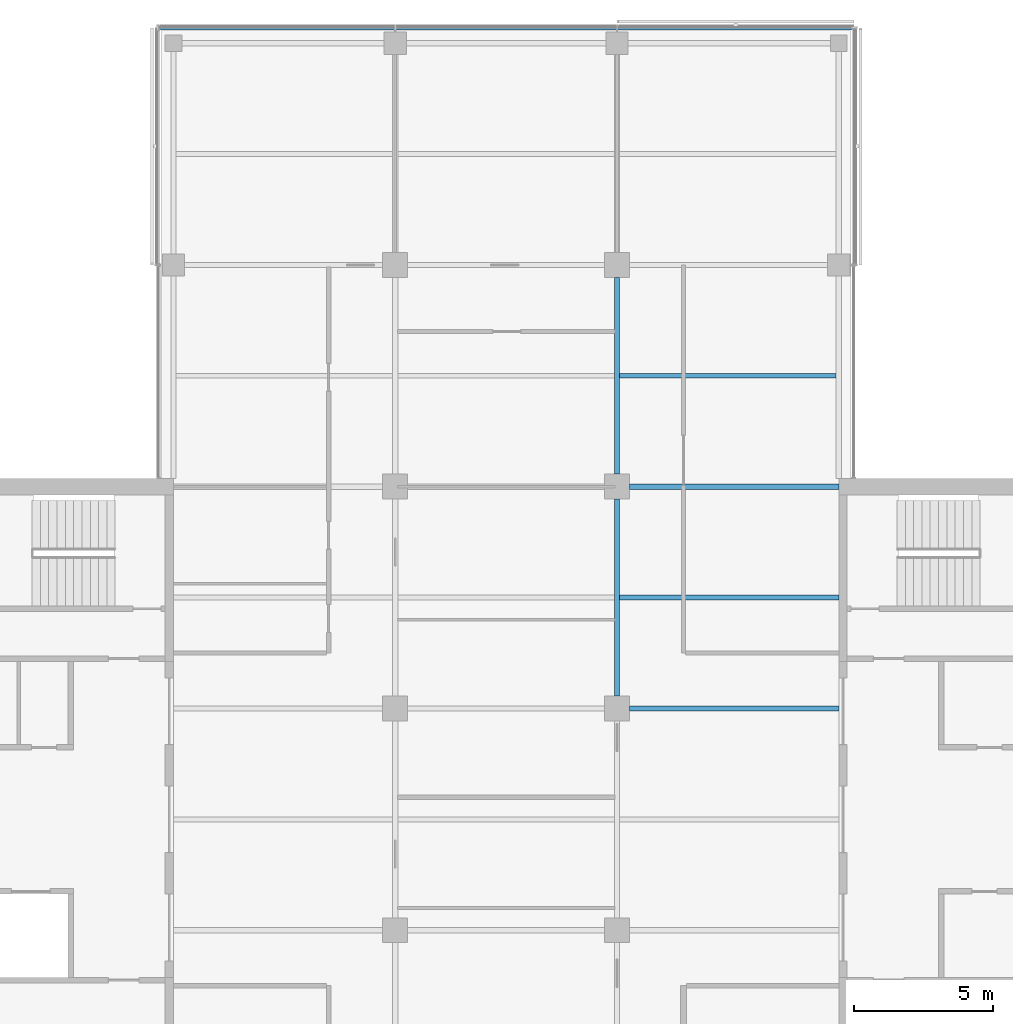
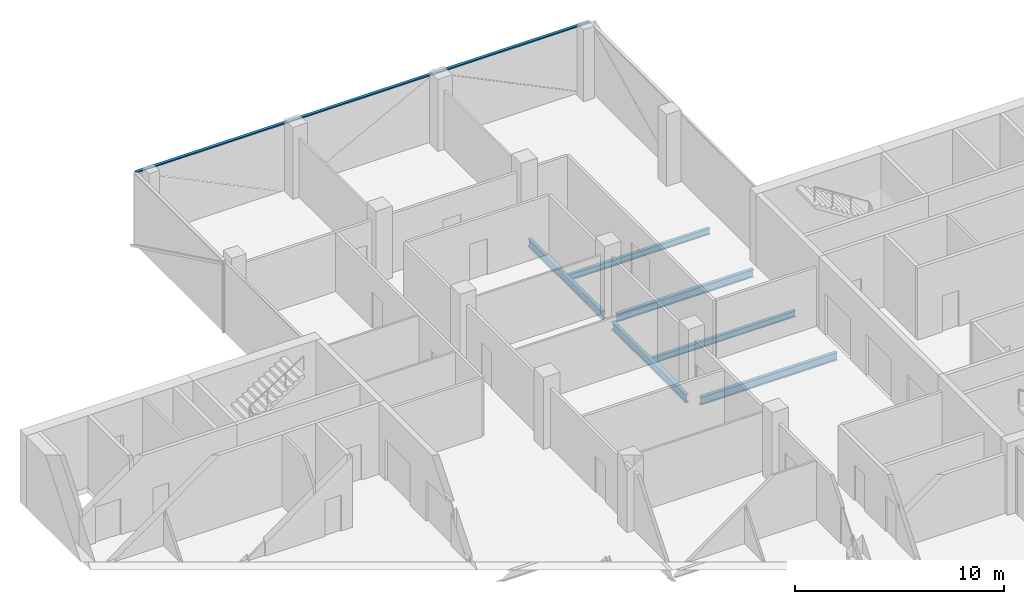
# One storey, part 6 of 15: 6 beams, 1 member, 1 element without a shape of its own.
"""IFC4 building model written with IfcOpenShell, lengths in metres."""

from ifc_helpers import new_model, si_unit, direction, frame, origin, origin_2d, place, context, subcontext, project, spatial, rectangle, i_section, extrude, material, material_profile, profile_set, type_object, element, aggregate, save


model = new_model("IFC4")

# Units and contexts
model_context = context("Model", 3, precision=1e-05, world=origin(), true_north=direction((0.0, 1.0)))
body_context = subcontext(model_context, "Body", "Model", "MODEL_VIEW")
ifc_project = project(units=[si_unit("LENGTHUNIT", "METRE"), si_unit("AREAUNIT", "SQUARE_METRE"), si_unit("VOLUMEUNIT", "CUBIC_METRE"), si_unit("PLANEANGLEUNIT", "RADIAN"), si_unit("MASSUNIT", "GRAM", prefix="KILO")], contexts=[model_context])

# Site, building, storey
site_placement = place(None, origin())
site = spatial("IfcSite", under=ifc_project, at=site_placement, CompositionType="ELEMENT")
building_placement = place(site_placement, origin())
building = spatial("IfcBuilding", under=site, at=building_placement, Name="Crosswind Convention Tower", CompositionType="ELEMENT")
storey_placement = place(building_placement, frame((0.0, 0.0, 187.300048828125)))
storey = spatial("IfcBuildingStorey", under=building, at=storey_placement, Name="L39", CompositionType="ELEMENT", Elevation=187.300048828125)

# Beams
ifc_material_1 = material(Name="Steel S355", Category="steel")
ifc_material_profile_1 = material_profile(ifc_material_1, i_section(OverallWidth=0.1904296875, OverallDepth=0.457275390625, WebThickness=0.009033203125, FlangeThickness=0.014404296875, FilletRadius=0.01025390625, at=origin_2d()), Name="UB 457x191x75")
ifc_profile_set_1 = profile_set([ifc_material_profile_1], Name="Steel S355")
beam_type_1 = type_object("IfcBeamType", Name="Girder UB 457x191x75", PredefinedType="BEAM", material=ifc_profile_set_1)
for number, where, z_axis, x_axis, name in (
    (1, (129.0, 104.449951171875, -0.528564453125), (0.0, 1.0, 0.0), (-1.0, 0.0, 0.0), "B2 L39 girder 20"),
    (2, (129.0, 112.449951171875, -0.528564453125), (0.0, 1.0, 0.0), (-1.0, 0.0, 0.0), "B2 L39 girder 21"),
):
    element("IfcBeam", number, at=place(storey_placement, frame(where, z_axis=z_axis, x_axis=x_axis)), inside=storey, type_object=beam_type_1, Name=name, PredefinedType="BEAM", context=body_context, shape_type="SweptSolid", body=[
        extrude(i_section(OverallWidth=0.1904296875, OverallDepth=0.457275390625, WebThickness=0.009033203125, FlangeThickness=0.014404296875, FilletRadius=0.01025390625, at=origin_2d()), origin(), (0.0, 0.0, 1.0), 7.10009765625),
    ])
ifc_material_profile_2 = material_profile(ifc_material_1, i_section(OverallWidth=0.19140625, OverallDepth=0.460205078125, WebThickness=0.010009765625, FlangeThickness=0.01611328125, FilletRadius=0.01025390625, at=origin_2d()), Name="UB 457x191x82")
ifc_profile_set_2 = profile_set([ifc_material_profile_2], Name="Steel S355")
beam_type_2 = type_object("IfcBeamType", Name="Girder at core wall UB 457x191x82", PredefinedType="BEAM", material=ifc_profile_set_2)
for number, where, z_axis, x_axis, name in (
    (3, (129.449951171875, 104.0, -0.530029296875), (1.0, 0.0, 0.0), (0.0, 1.0, 0.0), "B23 L39 girder at core wall 7"),
    (4, (129.449951171875, 112.0, -0.530029296875), (1.0, 0.0, 0.0), (0.0, 1.0, 0.0), "B23 L39 girder at core wall 8"),
):
    element("IfcBeam", number, at=place(storey_placement, frame(where, z_axis=z_axis, x_axis=x_axis)), inside=storey, type_object=beam_type_2, Name=name, PredefinedType="BEAM", context=body_context, shape_type="SweptSolid", body=[
        extrude(i_section(OverallWidth=0.19140625, OverallDepth=0.460205078125, WebThickness=0.010009765625, FlangeThickness=0.01611328125, FilletRadius=0.01025390625, at=origin_2d()), origin(), (0.0, 0.0, 1.0), 7.550048828125),
    ])
ifc_material_profile_3 = material_profile(ifc_material_1, i_section(OverallWidth=0.172119140625, OverallDepth=0.358642578125, WebThickness=0.008056640625, FlangeThickness=0.012939453125, FilletRadius=0.01025390625, at=origin_2d()), Name="UB 356x171x57")
ifc_profile_set_3 = profile_set([ifc_material_profile_3], Name="Steel S355")
beam_type_3 = type_object("IfcBeamType", Name="Secondary beam UB 356x171x57", PredefinedType="JOIST", material=ifc_profile_set_3)
beam_1_placement = place(storey_placement, frame((129.09521484375, 108.0, -0.479248046875), z_axis=(1.0, 0.0, 0.0), x_axis=(0.0, 1.0, 0.0)))
element("IfcBeam", 5, at=beam_1_placement, inside=storey, type_object=beam_type_3, Name="B9 L39 secondary beam 19", PredefinedType="JOIST", context=body_context, shape_type="SweptSolid", body=[
    extrude(i_section(OverallWidth=0.172119140625, OverallDepth=0.358642578125, WebThickness=0.008056640625, FlangeThickness=0.012939453125, FilletRadius=0.01025390625, at=origin_2d()), origin(), (0.0, 0.0, 1.0), 7.90478515625),
])
beam_2_placement = place(storey_placement, frame((129.09521484375, 116.0, -0.479248046875), z_axis=(1.0, 0.0, 0.0), x_axis=(0.0, 1.0, 0.0)))
element("IfcBeam", 6, at=beam_2_placement, inside=storey, type_object=beam_type_3, Name="B9 L39 secondary beam 20", PredefinedType="JOIST", context=body_context, shape_type="SweptSolid", body=[
    extrude(i_section(OverallWidth=0.172119140625, OverallDepth=0.358642578125, WebThickness=0.008056640625, FlangeThickness=0.012939453125, FilletRadius=0.01025390625, at=origin_2d()), origin(), (0.0, 0.0, 1.0), 7.809814453125),
])

# Curtain wall, member
ifc_material_2 = material(Name="Aluminium unitised curtain wall", Category="aluminium")
curtain_wall_type = type_object("IfcCurtainWallType", Name="OFFICE UNITISED WALL 220", PredefinedType="USERDEFINED", material=ifc_material_2)
curtain_wall_placement = place(storey_placement, origin())
curtain_wall = element("IfcCurtainWall", 7, at=curtain_wall_placement, inside=storey, type_object=curtain_wall_type, Name="CW3 L39 N-TIP 1", ObjectType="UNITISED", PredefinedType="USERDEFINED")
ifc_material_3 = material(Name="Aluminium transom", Category="aluminium")
ifc_material_profile_4 = material_profile(ifc_material_3, rectangle(XDim=0.159912109375, YDim=0.070068359375, at=origin_2d()), Name="AL 160X70")
ifc_profile_set_4 = profile_set([ifc_material_profile_4], Name="Aluminium transom")
member_type = type_object("IfcMemberType", Name="TRANSOM 70X160", PredefinedType="USERDEFINED", material=ifc_profile_set_4)
member_placement = place(storey_placement, frame((137.52490234375, 128.56005859375, 3.864990234375), z_axis=(-1.0, 0.0, 0.0), x_axis=(0.0, -1.0, 0.0)))
member = element("IfcMember", 8, at=member_placement, type_object=member_type, Name="CW3 transom", ObjectType="TRANSOM", PredefinedType="USERDEFINED", context=body_context, shape_type="SweptSolid", body=[
    extrude(rectangle(XDim=0.159912109375, YDim=0.070068359375, at=origin_2d()), origin(), (0.0, 0.0, 1.0), 25.0498046875),
])
aggregate(curtain_wall, [member])

save(model, "model.ifc")
